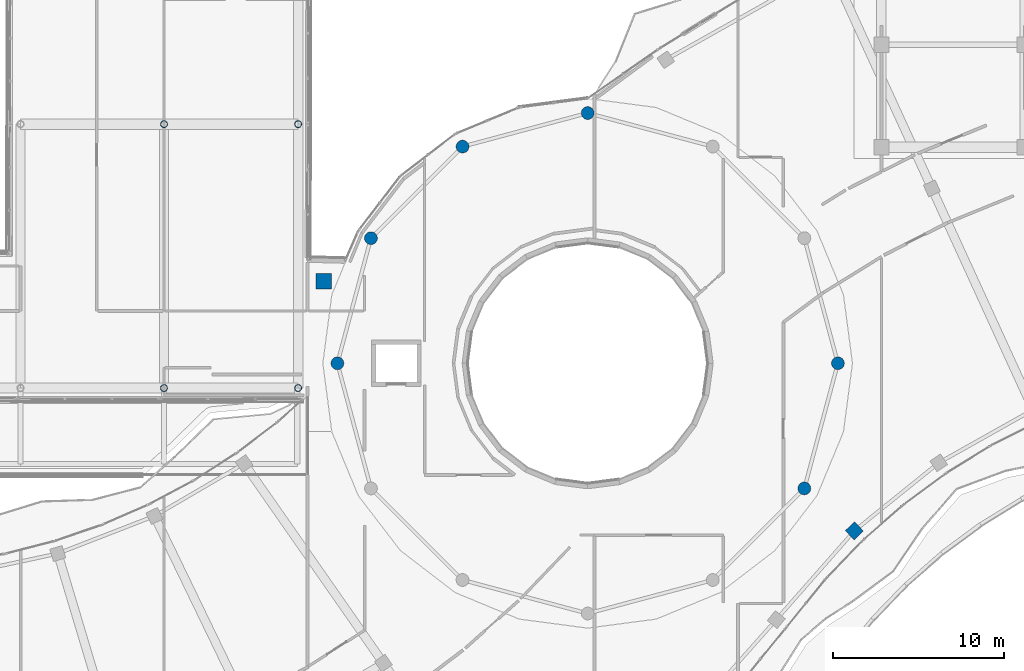
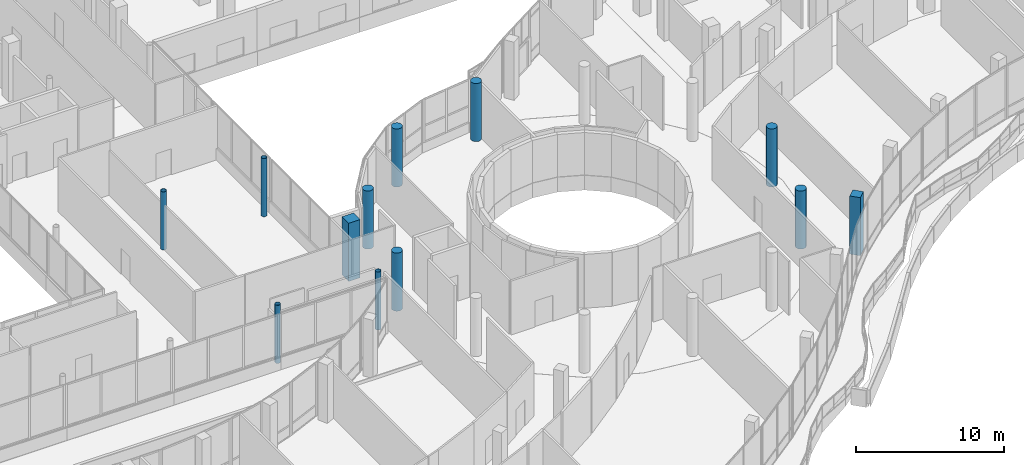
# One storey, part 5 of 168: 12 columns.
"""IFC4 building model written with IfcOpenShell, lengths in metres."""

from ifc_helpers import new_model, si_unit, direction, frame, origin, origin_2d, place, context, subcontext, project, spatial, rectangle, circle, hollow_circle, extrude, material, material_profile, profile_set, type_object, element, save


model = new_model("IFC4")

# Units and contexts
model_context = context("Model", 3, precision=1e-05, world=origin(), true_north=direction((0.0, 1.0)))
body_context = subcontext(model_context, "Body", "Model", "MODEL_VIEW")
ifc_project = project(units=[si_unit("LENGTHUNIT", "METRE"), si_unit("AREAUNIT", "SQUARE_METRE"), si_unit("VOLUMEUNIT", "CUBIC_METRE"), si_unit("PLANEANGLEUNIT", "RADIAN"), si_unit("MASSUNIT", "GRAM", prefix="KILO")], contexts=[model_context])

# Site, building, storey
site_placement = place(None, origin())
site = spatial("IfcSite", under=ifc_project, at=site_placement, CompositionType="ELEMENT")
building_placement = place(site_placement, origin())
building = spatial("IfcBuilding", under=site, at=building_placement, Name="Selatvlak General Hospital", CompositionType="ELEMENT")
storey_placement = place(building_placement, frame((0.0, 0.0, 5.39990234375)))
storey = spatial("IfcBuildingStorey", under=building, at=storey_placement, Name="L01", CompositionType="ELEMENT", Elevation=5.39990234375)

# Columns
ifc_material_1 = material(Name="Steel S355", Category="steel")
ifc_material_profile_1 = material_profile(ifc_material_1, hollow_circle(Radius=0.203125, WallThickness=0.01611328125, at=origin_2d()), Name="CHS 406.4x16")
ifc_profile_set_1 = profile_set([ifc_material_profile_1], Name="Steel S355")
column_type_1 = type_object("IfcColumnType", Name="COL-CHS406", PredefinedType="COLUMN", material=ifc_profile_set_1)
for number, where, z_axis, x_axis, name in (
    (1, (73.199951171875, 52.550048828125, 0.0), (0.0, 0.0, 1.0), (1.0, 0.0, 0.0), "Column 019 on L01"),
    (2, (73.199951171875, 68.0, 0.0), (0.0, 0.0, 1.0), (1.0, 0.0, 0.0), "Column 020 on L01"),
    (3, (81.050048828125, 52.550048828125, 0.0), (0.0, 0.0, 1.0), (1.0, 0.0, 0.0), "Column 022 on L01"),
    (4, (81.050048828125, 68.0, 0.0), (0.0, 0.0, 1.0), (1.0, 0.0, 0.0), "Column 023 on L01"),
):
    element("IfcColumn", number, at=place(storey_placement, frame(where, z_axis=z_axis, x_axis=x_axis)), inside=storey, type_object=column_type_1, Name=name, PredefinedType="COLUMN", context=body_context, shape_type="SweptSolid", body=[
        extrude(hollow_circle(Radius=0.203125, WallThickness=0.01611328125, at=origin_2d()), origin(), (0.0, 0.0, 1.0), 4.800048828125),
    ])
ifc_material_2 = material(Name="Concrete C50/60", Category="concrete")
ifc_material_profile_2 = material_profile(ifc_material_2, rectangle(XDim=0.75, YDim=0.75, at=origin_2d()), Name="RC-COL 750x750")
ifc_profile_set_2 = profile_set([ifc_material_profile_2], Name="Concrete C50/60")
column_type_2 = type_object("IfcColumnType", Name="COL-RC75", PredefinedType="COLUMN", material=ifc_profile_set_2)
column_1_placement = place(storey_placement, frame((113.614990234375, 44.19189453125, 0.0), z_axis=(0.0, 0.0, 1.0), x_axis=(-0.689872285383, 0.723931094691, 0.0)))
element("IfcColumn", 5, at=column_1_placement, inside=storey, type_object=column_type_2, Name="Column 339 on L01", PredefinedType="COLUMN", context=body_context, shape_type="SweptSolid", body=[
    extrude(rectangle(XDim=0.75, YDim=0.75, at=origin_2d()), origin(), (0.0, 0.0, 1.0), 4.800048828125),
])
ifc_material_profile_3 = material_profile(ifc_material_2, rectangle(XDim=0.89990234375, YDim=0.89990234375, at=origin_2d()), Name="RC-COL 900x900")
ifc_profile_set_3 = profile_set([ifc_material_profile_3], Name="Concrete C50/60")
column_type_3 = type_object("IfcColumnType", Name="COL-RC90", PredefinedType="COLUMN", material=ifc_profile_set_3)
column_2_placement = place(storey_placement, frame((82.550048828125, 58.800048828125, 0.0), z_axis=(0.0, 0.0, 1.0), x_axis=(1.0, 0.0, 0.0)))
element("IfcColumn", 6, at=column_2_placement, inside=storey, type_object=column_type_3, Name="Column 086 on L01", PredefinedType="COLUMN", context=body_context, shape_type="SweptSolid", body=[
    extrude(rectangle(XDim=0.89990234375, YDim=0.89990234375, at=origin_2d()), origin(), (0.0, 0.0, 1.0), 4.800048828125),
])
ifc_material_profile_4 = material_profile(ifc_material_2, circle(Radius=0.375, at=origin_2d()), Name="RC-COL D750")
ifc_profile_set_4 = profile_set([ifc_material_profile_4], Name="Concrete C50/60")
column_type_4 = type_object("IfcColumnType", Name="COL-RCD75", PredefinedType="COLUMN", material=ifc_profile_set_4)
for number, where, z_axis, x_axis, name in (
    (7, (112.64990234375, 54.0, 0.0), (0.0, 0.0, 1.0), (1.0, 0.0, 0.0), "Column 025 on L01"),
    (8, (98.0, 68.64990234375, 0.0), (0.0, 0.0, 1.0), (0.0, 1.0, 0.0), "Column 028 on L01"),
    (9, (90.675048828125, 66.68701171875, 0.0), (0.0, 0.0, 1.0), (-0.5, 0.866025403784, 0.0), "Column 029 on L01"),
    (10, (85.31298828125, 61.324951171875, 0.0), (0.0, 0.0, 1.0), (-0.866025403784, 0.5, 0.0), "Column 030 on L01"),
    (11, (83.35009765625, 54.0, 0.0), (0.0, 0.0, 1.0), (-1.0, 0.0, 0.0), "Column 031 on L01"),
    (12, (110.68701171875, 46.675048828125, 0.0), (0.0, 0.0, 1.0), (0.866025403784, -0.5, 0.0), "Column 036 on L01"),
):
    element("IfcColumn", number, at=place(storey_placement, frame(where, z_axis=z_axis, x_axis=x_axis)), inside=storey, type_object=column_type_4, Name=name, PredefinedType="COLUMN", context=body_context, shape_type="SweptSolid", body=[
        extrude(circle(Radius=0.375, at=origin_2d()), origin(), (0.0, 0.0, 1.0), 4.800048828125),
    ])

save(model, "model.ifc")
